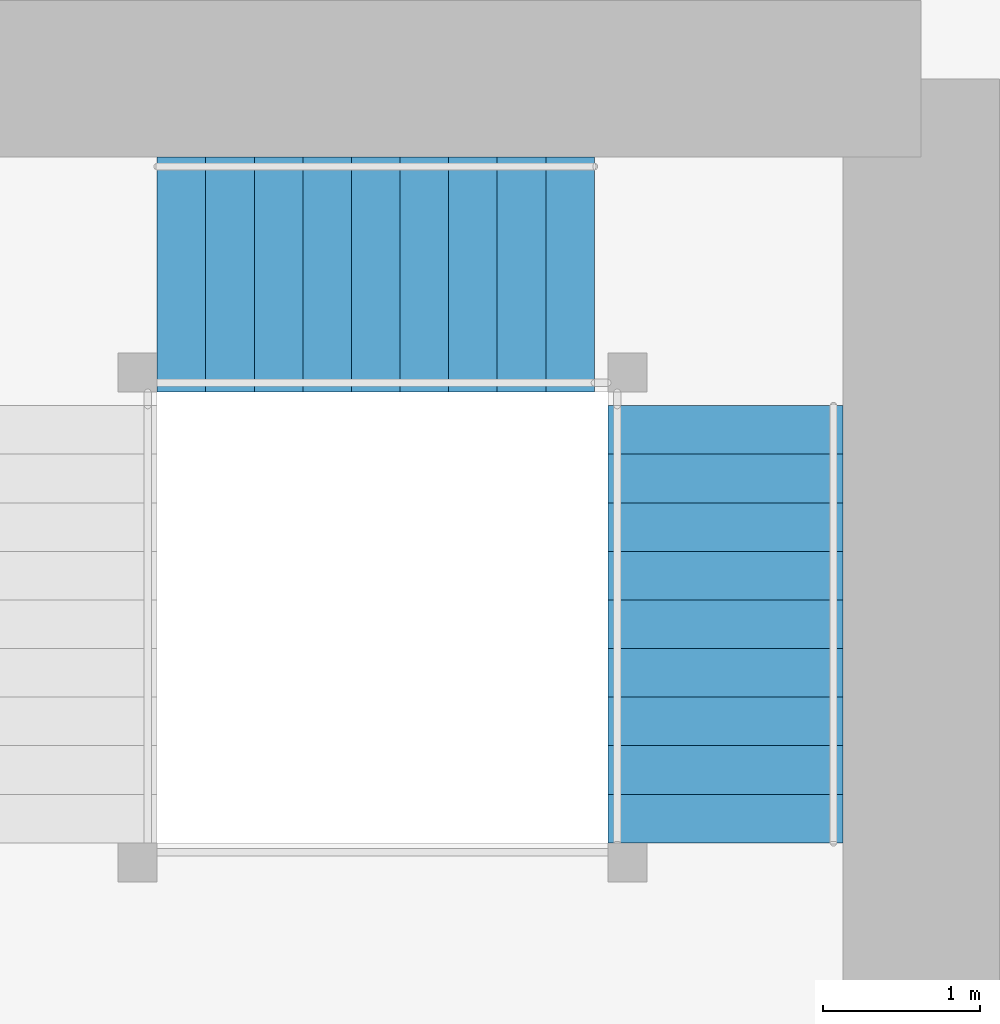
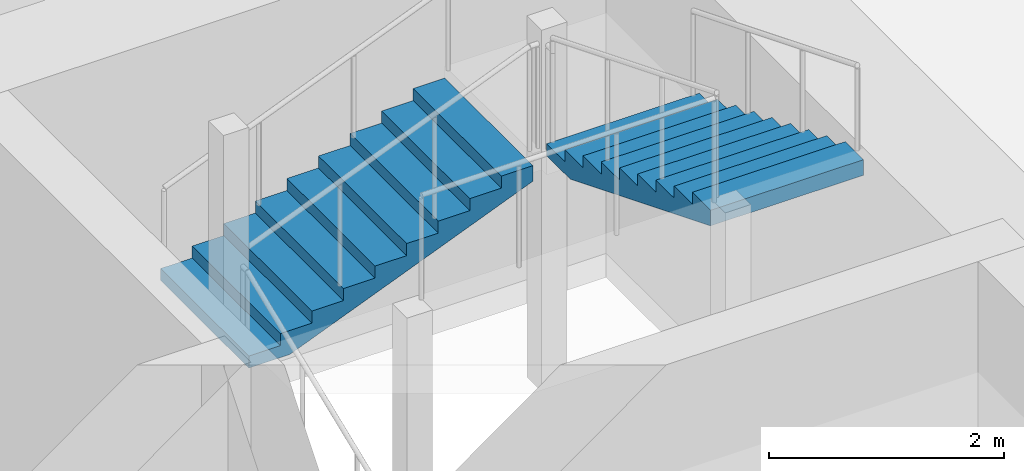
# One storey, part 31 of 39: 2 stair flights, 1 element without a shape of its own.
"""IFC4 building model written with IfcOpenShell, lengths in metres."""

from ifc_helpers import new_model, si_unit, direction, frame, origin, place, context, subcontext, project, spatial, polyline, outline, extrude, material, type_object, element, aggregate, save


model = new_model("IFC4")

# Units and contexts
model_context = context("Model", 3, precision=1e-05, world=origin(), true_north=direction((0.0, 1.0)))
body_context = subcontext(model_context, "Body", "Model", "MODEL_VIEW")
ifc_project = project(units=[si_unit("LENGTHUNIT", "METRE"), si_unit("AREAUNIT", "SQUARE_METRE"), si_unit("VOLUMEUNIT", "CUBIC_METRE"), si_unit("PLANEANGLEUNIT", "RADIAN"), si_unit("MASSUNIT", "GRAM", prefix="KILO")], contexts=[model_context])

# Site, building, storey
site_placement = place(None, origin())
site = spatial("IfcSite", under=ifc_project, at=site_placement, CompositionType="ELEMENT")
building_placement = place(site_placement, origin())
building = spatial("IfcBuilding", under=site, at=building_placement, Name="Rekha Terrace Tower", CompositionType="ELEMENT")
storey_placement = place(building_placement, frame((0.0, 0.0, 183.949951171875)))
storey = spatial("IfcBuildingStorey", under=building, at=storey_placement, Name="L46", CompositionType="ELEMENT", Elevation=183.949951171875)

# Stair, stair flights
ifc_material = material(Name="Concrete M40", Category="concrete")
stair_type = type_object("IfcStairType", Name="ST30 stair, 30 risers of 125, going 310, 1500 wide flights, 3 flights", PredefinedType="HALF_TURN_STAIR", material=ifc_material)
stair_placement = place(storey_placement, origin())
stair = element("IfcStair", 1, at=stair_placement, inside=storey, type_object=stair_type, Name="Stair ST2 L46 to L47", PredefinedType="HALF_TURN_STAIR")
stair_flight_type = type_object("IfcStairFlightType", Name="SF10 stair flight, 10 risers of 125, going 310, 1500 wide", PredefinedType="STRAIGHT", material=ifc_material)
stair_flight_1_placement = place(storey_placement, frame((45.52490234375, 44.949951171875, 1.25), z_axis=(0.0, 0.0, 1.0), x_axis=(1.0, 0.0, 0.0)))
stair_flight_1 = element("IfcStairFlight", 2, at=stair_flight_1_placement, type_object=stair_flight_type, Name="ST2 flight 2", NumberOfRisers=10, NumberOfTreads=9, PredefinedType="STRAIGHT", RiserHeight=0.125, TreadLength=0.31, context=body_context, shape_type="SweptSolid", body=[
    extrude(outline(polyline([(0.0, 0.0), (0.0, 0.125), (0.31005859375, 0.125), (0.31005859375, 0.25), (0.6201171875, 0.25), (0.6201171875, 0.375), (0.929931640625, 0.375), (0.929931640625, 0.5), (1.239990234375, 0.5), (1.239990234375, 0.625), (1.550048828125, 0.625), (1.550048828125, 0.75), (1.860107421875, 0.75), (1.860107421875, 0.875), (2.169921875, 0.875), (2.169921875, 1.0), (2.47998046875, 1.0), (2.47998046875, 1.125), (2.7900390625, 1.125), (2.7900390625, 1.25), (2.7900390625, 0.96337890625), (0.40087890625, 0.0), (0.0, 0.0)])), frame((0.0, 0.75, 0.0), z_axis=(0.0, -1.0, 0.0), x_axis=(1.0, 0.0, 0.0)), (0.0, 0.0, 1.0), 1.5),
])
stair_flight_2_placement = place(storey_placement, frame((49.14990234375, 44.114990234375, 2.5), z_axis=(0.0, 0.0, 1.0), x_axis=(0.0, -1.0, 0.0)))
stair_flight_2 = element("IfcStairFlight", 3, at=stair_flight_2_placement, type_object=stair_flight_type, Name="ST2 flight 3", NumberOfRisers=10, NumberOfTreads=9, PredefinedType="STRAIGHT", RiserHeight=0.125, TreadLength=0.31, context=body_context, shape_type="SweptSolid", body=[
    extrude(outline(polyline([(0.0, 0.0), (0.0, 0.125), (0.31005859375, 0.125), (0.31005859375, 0.25), (0.6201171875, 0.25), (0.6201171875, 0.375), (0.929931640625, 0.375), (0.929931640625, 0.5), (1.239990234375, 0.5), (1.239990234375, 0.625), (1.550048828125, 0.625), (1.550048828125, 0.75), (1.860107421875, 0.75), (1.860107421875, 0.875), (2.169921875, 0.875), (2.169921875, 1.0), (2.47998046875, 1.0), (2.47998046875, 1.125), (2.7900390625, 1.125), (2.7900390625, 1.25), (2.7900390625, 0.96337890625), (0.40087890625, 0.0), (0.0, 0.0)])), frame((0.0, 0.75, 0.0), z_axis=(0.0, -1.0, 0.0), x_axis=(1.0, 0.0, 0.0)), (0.0, 0.0, 1.0), 1.5),
])
aggregate(stair, [stair_flight_1, stair_flight_2])

save(model, "model.ifc")
